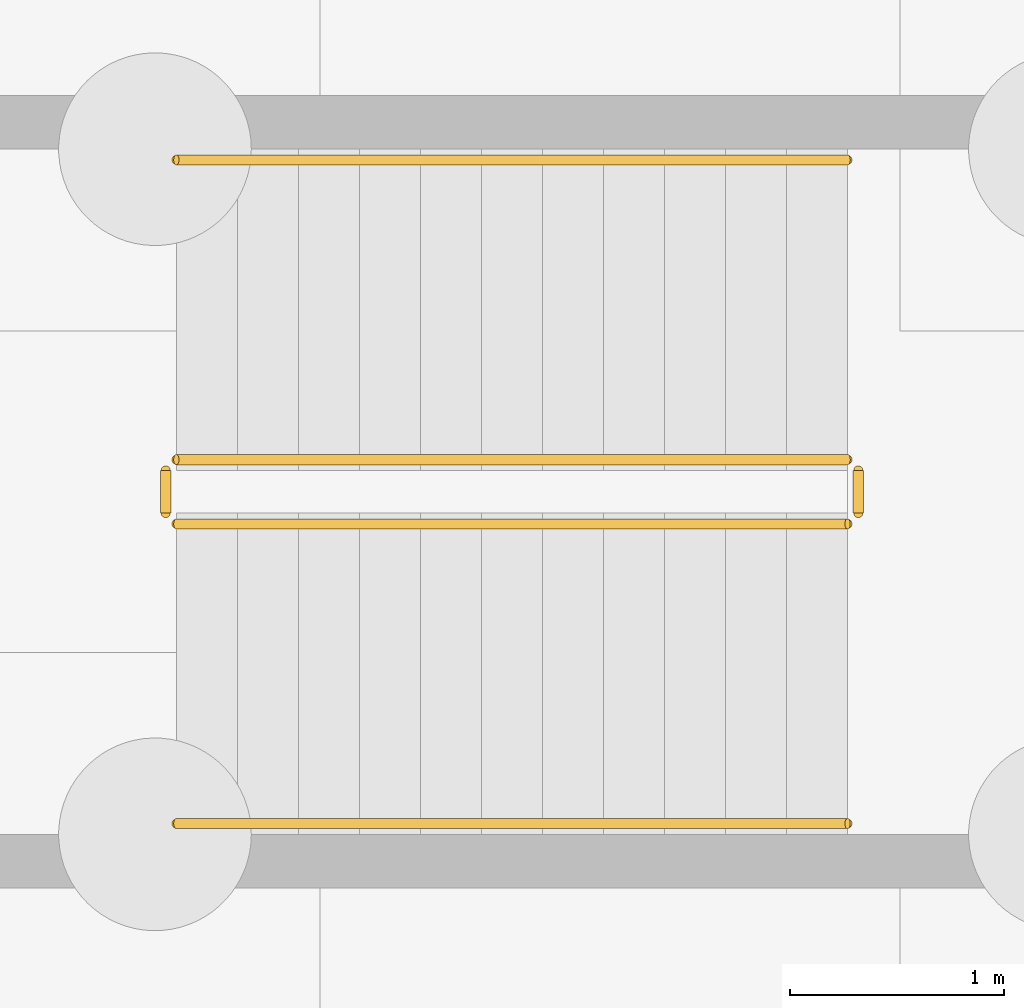
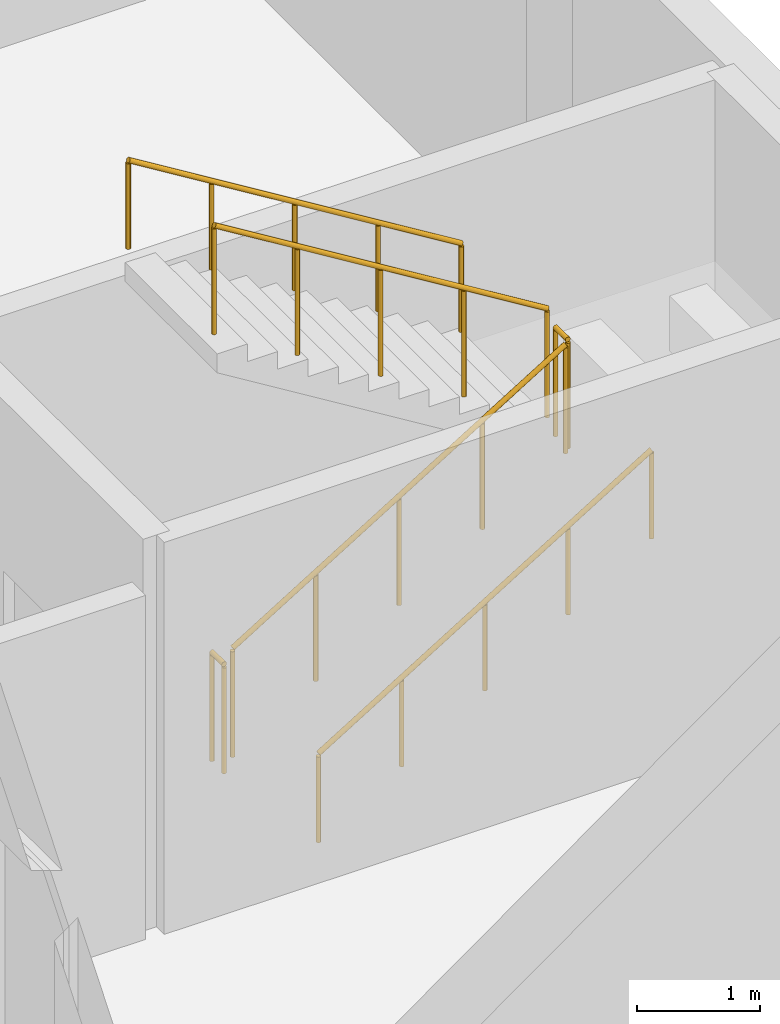
# One storey, part 15 of 18: 6 railings.
"""IFC4 building model written with IfcOpenShell, lengths in metres."""

from ifc_helpers import new_model, si_unit, direction, frame, origin, origin_2d, place, context, subcontext, project, spatial, circle, extrude, material, layer, layer_set, type_object, element, save


model = new_model("IFC4")

# Units and contexts
model_context = context("Model", 3, precision=1e-05, world=origin(), true_north=direction((0.0, 1.0)))
body_context = subcontext(model_context, "Body", "Model", "MODEL_VIEW")
ifc_project = project(units=[si_unit("LENGTHUNIT", "METRE"), si_unit("AREAUNIT", "SQUARE_METRE"), si_unit("VOLUMEUNIT", "CUBIC_METRE"), si_unit("PLANEANGLEUNIT", "RADIAN"), si_unit("MASSUNIT", "GRAM", prefix="KILO")], contexts=[model_context])

# Site, building, storey
site_placement = place(None, origin())
site = spatial("IfcSite", under=ifc_project, at=site_placement, CompositionType="ELEMENT")
building_placement = place(site_placement, origin())
building = spatial("IfcBuilding", under=site, at=building_placement, Name="Vondelvale Polytechnic", CompositionType="ELEMENT")
storey_placement = place(building_placement, frame((0.0, 0.0, -4.199951171875)))
storey = spatial("IfcBuildingStorey", under=building, at=storey_placement, Name="B1", CompositionType="ELEMENT", Elevation=-4.199951171875)

# Railings
ifc_material = material(Name="Brushed architectural stainless and zinc-coated metal")
ifc_layer_1 = layer(ifc_material, 0.050048828125)
ifc_layer_set_1 = layer_set([ifc_layer_1], Name="RL-STAIR-GUARD")
railing_type_1 = type_object("IfcRailingType", Name="RL-STAIR-GUARD", PredefinedType="GUARDRAIL", material=ifc_layer_set_1)
railing_1_placement = place(storey_placement, frame((41.89990234375, 56.449951171875, 0.175048828125)))
element("IfcRailing", 1, at=railing_1_placement, inside=storey, type_object=railing_type_1, Name="B1 ST-01 stair guard 1", PredefinedType="GUARDRAIL", context=body_context, shape_type="SweptSolid", body=[
    extrude(circle(Radius=0.02392578125, at=origin_2d()), frame((0.0, 0.0, 1.076171875), z_axis=(0.852195625947, 0.0, 0.523223293744), x_axis=(0.0, 1.0, 0.0)), (0.0, 0.0, 1.0), 3.6787109375),
    extrude(circle(Radius=0.02099609375, at=origin_2d()), origin(), (0.0, 0.0, 1.0), 1.052001953125),
    extrude(circle(Radius=0.02099609375, at=origin_2d()), frame((0.78369140625, 0.0, 0.481201171875)), (0.0, 0.0, 1.0), 1.052001953125),
    extrude(circle(Radius=0.02099609375, at=origin_2d()), frame((1.5673828125, 0.0, 0.96240234375)), (0.0, 0.0, 1.0), 1.052001953125),
    extrude(circle(Radius=0.02099609375, at=origin_2d()), frame((2.351318359375, 0.0, 1.443603515625)), (0.0, 0.0, 1.0), 1.052001953125),
    extrude(circle(Radius=0.02099609375, at=origin_2d()), frame((3.135009765625, 0.0, 1.9248046875)), (0.0, 0.0, 1.0), 1.052001953125),
])
railing_2_placement = place(storey_placement, frame((45.0849609375, 56.5, 2.099853515625)))
element("IfcRailing", 2, at=railing_2_placement, inside=storey, type_object=railing_type_1, Name="B1 ST-01 stair guard 2", PredefinedType="GUARDRAIL", context=body_context, shape_type="SweptSolid", body=[
    extrude(circle(Radius=0.02392578125, at=origin_2d()), frame((0.0, 0.0, 1.076171875), z_axis=(0.0, 1.0, 0.0), x_axis=(-1.0, 0.0, 0.0)), (0.0, 0.0, 1.0), 0.199951171875),
    extrude(circle(Radius=0.02099609375, at=origin_2d()), origin(), (0.0, 0.0, 1.0), 1.052001953125),
    extrude(circle(Radius=0.02099609375, at=origin_2d()), frame((0.0, 0.199951171875, 0.0)), (0.0, 0.0, 1.0), 1.052001953125),
])
railing_3_placement = place(storey_placement, frame((45.034912109375, 56.75, 2.27490234375)))
element("IfcRailing", 3, at=railing_3_placement, inside=storey, type_object=railing_type_1, Name="B1 ST-01 stair guard 3", PredefinedType="GUARDRAIL", context=body_context, shape_type="SweptSolid", body=[
    extrude(circle(Radius=0.02392578125, at=origin_2d()), frame((0.0, 0.0, 1.076171875), z_axis=(-0.852166034122, 0.0, 0.523271488128), x_axis=(0.0, -1.0, 0.0)), (0.0, 0.0, 1.0), 3.678955078125),
    extrude(circle(Radius=0.02099609375, at=origin_2d()), origin(), (0.0, 0.0, 1.0), 1.052001953125),
    extrude(circle(Radius=0.02099609375, at=origin_2d()), frame((-0.78369140625, 0.0, 0.481201171875)), (0.0, 0.0, 1.0), 1.052001953125),
    extrude(circle(Radius=0.02099609375, at=origin_2d()), frame((-1.5673828125, 0.0, 0.96240234375)), (0.0, 0.0, 1.0), 1.052001953125),
    extrude(circle(Radius=0.02099609375, at=origin_2d()), frame((-2.351318359375, 0.0, 1.44384765625)), (0.0, 0.0, 1.0), 1.052001953125),
    extrude(circle(Radius=0.02099609375, at=origin_2d()), frame((-3.135009765625, 0.0, 1.925048828125)), (0.0, 0.0, 1.0), 1.052001953125),
])
railing_4_placement = place(storey_placement, frame((41.85009765625, 56.5, 0.0)))
element("IfcRailing", 4, at=railing_4_placement, inside=storey, type_object=railing_type_1, Name="B1 ST-01 stair guard 4", PredefinedType="GUARDRAIL", context=body_context, shape_type="SweptSolid", body=[
    extrude(circle(Radius=0.02392578125, at=origin_2d()), frame((0.0, 0.0, 1.076171875), z_axis=(0.0, 1.0, 0.0), x_axis=(-1.0, 0.0, 0.0)), (0.0, 0.0, 1.0), 0.199951171875),
    extrude(circle(Radius=0.02099609375, at=origin_2d()), origin(), (0.0, 0.0, 1.0), 1.052001953125),
    extrude(circle(Radius=0.02099609375, at=origin_2d()), frame((0.0, 0.199951171875, 0.0)), (0.0, 0.0, 1.0), 1.052001953125),
])
ifc_layer_2 = layer(ifc_material, 0.048095703125)
ifc_layer_set_2 = layer_set([ifc_layer_2], Name="RL-STAIR-HANDRAIL")
railing_type_2 = type_object("IfcRailingType", Name="RL-STAIR-HANDRAIL", PredefinedType="HANDRAIL", material=ifc_layer_set_2)
railing_5_placement = place(storey_placement, frame((41.89990234375, 55.050048828125, 0.175048828125)))
element("IfcRailing", 5, at=railing_5_placement, inside=storey, type_object=railing_type_2, Name="B1 ST-01 stair handrail 1", PredefinedType="HANDRAIL", context=body_context, shape_type="SweptSolid", body=[
    extrude(circle(Radius=0.02392578125, at=origin_2d()), frame((0.0, 0.0, 0.8759765625), z_axis=(0.852195625947, 0.0, 0.523223293744), x_axis=(0.0, 1.0, 0.0)), (0.0, 0.0, 1.0), 3.6787109375),
    extrude(circle(Radius=0.02099609375, at=origin_2d()), origin(), (0.0, 0.0, 1.0), 0.851806640625),
    extrude(circle(Radius=0.02099609375, at=origin_2d()), frame((0.78369140625, 0.0, 0.481201171875)), (0.0, 0.0, 1.0), 0.851806640625),
    extrude(circle(Radius=0.02099609375, at=origin_2d()), frame((1.5673828125, 0.0, 0.96240234375)), (0.0, 0.0, 1.0), 0.851806640625),
    extrude(circle(Radius=0.02099609375, at=origin_2d()), frame((2.351318359375, 0.0, 1.443603515625)), (0.0, 0.0, 1.0), 0.851806640625),
    extrude(circle(Radius=0.02099609375, at=origin_2d()), frame((3.135009765625, 0.0, 1.9248046875)), (0.0, 0.0, 1.0), 0.851806640625),
])
railing_6_placement = place(storey_placement, frame((45.034912109375, 58.14990234375, 2.27490234375)))
element("IfcRailing", 6, at=railing_6_placement, inside=storey, type_object=railing_type_2, Name="B1 ST-01 stair handrail 2", PredefinedType="HANDRAIL", context=body_context, shape_type="SweptSolid", body=[
    extrude(circle(Radius=0.02392578125, at=origin_2d()), frame((0.0, 0.0, 0.8759765625), z_axis=(-0.852166034122, 0.0, 0.523271488128), x_axis=(0.0, -1.0, 0.0)), (0.0, 0.0, 1.0), 3.678955078125),
    extrude(circle(Radius=0.02099609375, at=origin_2d()), origin(), (0.0, 0.0, 1.0), 0.851806640625),
    extrude(circle(Radius=0.02099609375, at=origin_2d()), frame((-0.78369140625, 0.0, 0.481201171875)), (0.0, 0.0, 1.0), 0.851806640625),
    extrude(circle(Radius=0.02099609375, at=origin_2d()), frame((-1.5673828125, 0.0, 0.96240234375)), (0.0, 0.0, 1.0), 0.851806640625),
    extrude(circle(Radius=0.02099609375, at=origin_2d()), frame((-2.351318359375, 0.0, 1.44384765625)), (0.0, 0.0, 1.0), 0.851806640625),
    extrude(circle(Radius=0.02099609375, at=origin_2d()), frame((-3.135009765625, 0.0, 1.925048828125)), (0.0, 0.0, 1.0), 0.851806640625),
])

save(model, "model.ifc")
